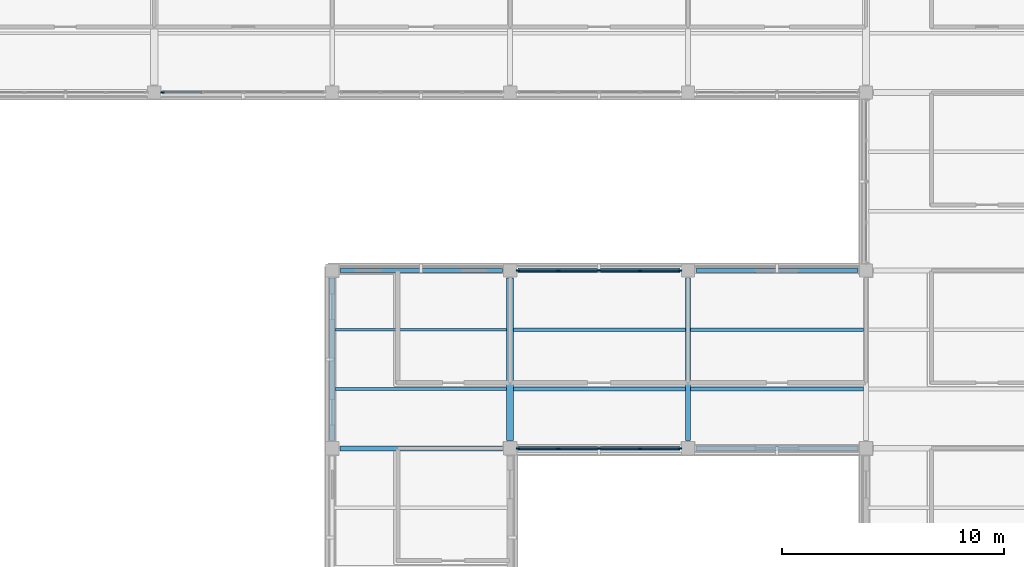
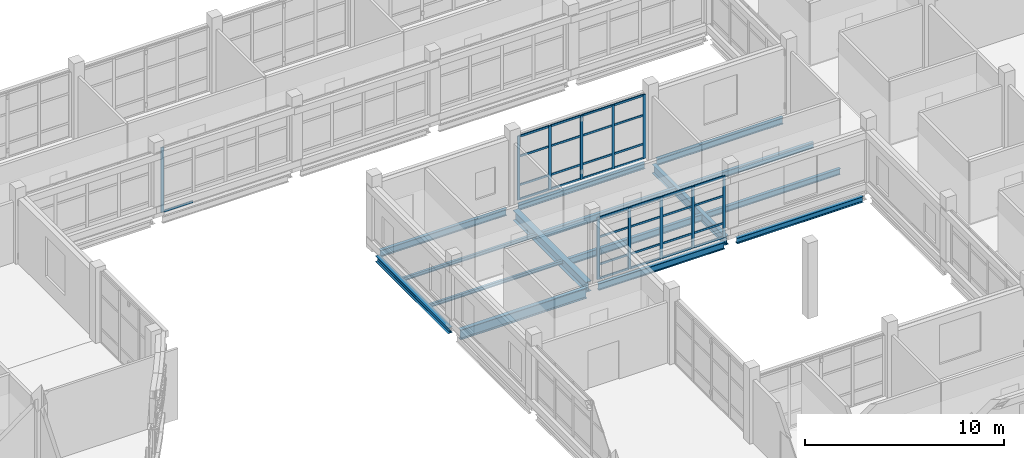
# One storey, part 46 of 121: 44 members, 15 beams, 3 elements without a shape of their own.
"""IFC4 building model written with IfcOpenShell, lengths in metres."""

import ifcopenshell
import ifcopenshell.guid

model = None  # the IFC model being written
_history = None  # IfcOwnerHistory: only IFC2X3 demands one
_inside = {}  # id of a spatial element -> (the spatial element, [elements in it])
_under = {}  # id of a project, library or spatial element -> (it, [spatial elements below it])
_declared = {}  # id of a project -> (the project, [libraries it declares])
_typed = {}  # id of a type object -> (the type object, [elements of that type])
_made_of = {}  # id of a material, layer set ... -> (it, [elements and type objects made of it])


def new_model(schema):
    """Start an empty IFC model of exactly this schema.

    Asked for "IFC4X3", IfcOpenShell would pick the latest addendum, in which some entities
    have other attributes; the version numbers below select the first issue.
    IFC2X3 requires an IfcOwnerHistory on every rooted entity: one is made here for all.
    """
    global model, _history
    if schema == "IFC4X3":
        model = ifcopenshell.file(schema_version=(4, 3, 0, 0))
    else:
        model = ifcopenshell.file(schema=schema)
    _inside.clear()
    _under.clear()
    _declared.clear()
    _typed.clear()
    _made_of.clear()
    _history = None
    if model.schema == "IFC2X3":
        org = make("IfcOrganization", Name="unknown")
        user = make(
            "IfcPersonAndOrganization",
            ThePerson=make("IfcPerson", FamilyName="unknown"),
            TheOrganization=org,
        )
        app = make(
            "IfcApplication",
            ApplicationDeveloper=org,
            Version="unknown",
            ApplicationFullName="unknown",
            ApplicationIdentifier="unknown",
        )
        _history = make(
            "IfcOwnerHistory",
            OwningUser=user,
            OwningApplication=app,
            ChangeAction="ADDED",
            CreationDate=0,
        )
    return model


def make(cls, **values):
    """One entity of the class cls with the attributes given. An attribute that is None is left unset."""
    return model.create_entity(
        cls, **{name: value for name, value in values.items() if value is not None}
    )


def rooted(cls, **values):
    """An entity with a GlobalId (a new one), such as an element, a storey or a relation."""
    return make(cls, GlobalId=ifcopenshell.guid.new(), OwnerHistory=_history, **values)


def si_unit(unit_type, name, prefix=None):
    """IfcSIUnit, for example si_unit("LENGTHUNIT", "METRE", prefix="MILLI")."""
    return make("IfcSIUnit", UnitType=unit_type, Prefix=prefix, Name=name)


def derived_unit(unit_type, elements):
    """IfcDerivedUnit: a product of units, each with its exponent."""
    return make(
        "IfcDerivedUnit",
        Elements=[
            make("IfcDerivedUnitElement", Unit=unit, Exponent=power)
            for unit, power in elements
        ],
        UnitType=unit_type,
    )


def assignment(units):
    """IfcUnitAssignment: the units of a project."""
    return None if units is None else make("IfcUnitAssignment", Units=units)


def point(xyz):
    """IfcCartesianPoint."""
    return None if xyz is None else make("IfcCartesianPoint", Coordinates=xyz)


def direction(xyz):
    """IfcDirection."""
    return None if xyz is None else make("IfcDirection", DirectionRatios=xyz)


def frame(location, z_axis=None, x_axis=None):
    """IfcAxis2Placement3D, a coordinate frame: its origin and axes. An axis left out is left unset."""
    return make(
        "IfcAxis2Placement3D",
        Location=point(location),
        Axis=direction(z_axis),
        RefDirection=direction(x_axis),
    )


def frame_2d(location, x_axis=None):
    """IfcAxis2Placement2D, a coordinate frame in the plane: its origin and x axis."""
    return make(
        "IfcAxis2Placement2D", Location=point(location), RefDirection=direction(x_axis)
    )


def origin():
    """The frame at (0, 0, 0) with its axes left unset."""
    return frame((0.0, 0.0, 0.0))


def origin_2d():
    """The frame at (0, 0) in the plane with its x axis left unset."""
    return frame_2d((0.0, 0.0))


def place(relative_to, where):
    """IfcLocalPlacement: puts the frame where relative to a parent placement (None: the world)."""
    return make(
        "IfcLocalPlacement", PlacementRelTo=relative_to, RelativePlacement=where
    )


def context(
    kind, dimensions, precision=None, world=None, true_north=None, identifier=None
):
    """IfcGeometricRepresentationContext, for example the 3D "Model" context."""
    return make(
        "IfcGeometricRepresentationContext",
        ContextIdentifier=identifier,
        ContextType=kind,
        CoordinateSpaceDimension=dimensions,
        Precision=precision,
        WorldCoordinateSystem=world,
        TrueNorth=true_north,
    )


def subcontext(parent, identifier, kind, view, scale=None):
    """IfcGeometricRepresentationSubContext, for example "Body" below "Model"."""
    return make(
        "IfcGeometricRepresentationSubContext",
        ContextIdentifier=identifier,
        ContextType=kind,
        ParentContext=parent,
        TargetScale=scale,
        TargetView=view,
    )


def project(units=None, contexts=None):
    """IfcProject with its units and contexts."""
    return rooted(
        "IfcProject",
        Name="project",
        RepresentationContexts=contexts,
        UnitsInContext=assignment(units),
    )


def spatial(cls, under=None, at=None, **own):
    """A site, building, storey or space (cls), placed at a placement, below another one or the project."""
    s = rooted(cls, ObjectPlacement=at, **own)
    if under is not None:
        _under.setdefault(under.id(), (under, []))[1].append(s)
    return s


def profile(cls, at=None, kind="AREA", **sizes):
    """A parametric profile (cls). Its sizes go by their IFC names, for example OverallWidth=200.0."""
    return make(cls, ProfileType=kind, Position=at, **sizes)


def rectangle(**sizes):
    """IfcRectangleProfileDef."""
    return profile("IfcRectangleProfileDef", **sizes)


def i_section(**sizes):
    """IfcIShapeProfileDef."""
    return profile("IfcIShapeProfileDef", **sizes)


def extrude(swept, where, along, depth):
    """IfcExtrudedAreaSolid: the profile swept, set in the frame where, extruded along a direction by depth."""
    return make(
        "IfcExtrudedAreaSolid",
        SweptArea=swept,
        Position=where,
        ExtrudedDirection=direction(along),
        Depth=depth,
    )


def shape(context_of_items, identifier, shape_type, items):
    """IfcShapeRepresentation: the items that make up one representation, for example the "Body"."""
    return make(
        "IfcShapeRepresentation",
        ContextOfItems=context_of_items,
        RepresentationIdentifier=identifier,
        RepresentationType=shape_type,
        Items=items,
    )


def material(Name=None, Category=None):
    """IfcMaterial."""
    return make("IfcMaterial", Name=Name, Category=Category)


def layer(
    of_material, thickness, ventilated=None, Name=None, Category=None, Priority=None
):
    """IfcMaterialLayer: one layer of a wall or slab, of a material (None: an air gap)."""
    return make(
        "IfcMaterialLayer",
        Material=of_material,
        LayerThickness=thickness,
        IsVentilated=ventilated,
        Name=Name,
        Category=Category,
        Priority=Priority,
    )


def layer_set(layers, Name=None):
    """IfcMaterialLayerSet."""
    return make("IfcMaterialLayerSet", MaterialLayers=layers, LayerSetName=Name)


def material_profile(
    of_material, cross_section, Name=None, Category=None, Priority=None
):
    """IfcMaterialProfile: a cross section and its material."""
    return make(
        "IfcMaterialProfile",
        Name=Name,
        Material=of_material,
        Profile=cross_section,
        Priority=Priority,
        Category=Category,
    )


def profile_set(profiles, Name=None, composite=None):
    """IfcMaterialProfileSet."""
    return make(
        "IfcMaterialProfileSet",
        Name=Name,
        MaterialProfiles=profiles,
        CompositeProfile=composite,
    )


def made_of(thing, what):
    """Note that an element or type object is made of a material, layer set ...; save() writes the relation."""
    if what is not None:
        _made_of.setdefault(what.id(), (what, []))[1].append(thing)
    return thing


def type_object(cls, material=None, **own):
    """A type object (cls), such as IfcWallType, which elements share."""
    return made_of(rooted(cls, **own), material)


def element(
    cls,
    number,
    at=None,
    inside=None,
    cuts=None,
    type_object=None,
    material=None,
    context=None,
    identifier="Body",
    shape_type=None,
    held_by="IfcProductDefinitionShape",
    body=None,
    shapes=None,
    **own,
):
    """One element of the class cls, such as IfcWall. Its Tag is "e" and its number.

    at: its placement. inside: the storey or other place that contains it. cuts: it is an
    opening in that element (IfcRelVoidsElement). A single representation is given by context,
    identifier, shape_type and body (its items); several are given by shapes. held_by: the class
    of the entity that holds the representations. save() writes the other relations.
    """
    e = rooted(cls, Tag="e%d" % number, ObjectPlacement=at, **own)
    if body is not None:
        shapes = [shape(context, identifier, shape_type, body)]
    if shapes is not None:
        e.Representation = make(held_by, Representations=shapes)
    if inside is not None:
        _inside.setdefault(inside.id(), (inside, []))[1].append(e)
    if cuts is not None:
        rooted(
            "IfcRelVoidsElement", RelatingBuildingElement=cuts, RelatedOpeningElement=e
        )
    if type_object is not None:
        _typed.setdefault(type_object.id(), (type_object, []))[1].append(e)
    return made_of(e, material)


def aggregate(whole, parts):
    """IfcRelAggregates: a whole, such as a stair, and the parts it consists of."""
    return rooted("IfcRelAggregates", RelatingObject=whole, RelatedObjects=parts)


def save(model, path):
    """Write the relations noted so far, then the file.

    IfcRelAggregates (storeys below a building ...), IfcRelContainedInSpatialStructure (elements
    in a storey), IfcRelDefinesByType, IfcRelAssociatesMaterial and IfcRelDeclares: one each for
    every whole, place, type object, material and project.
    """
    for whole, parts in _under.values():
        aggregate(whole, parts)
    for where, things in _inside.values():
        rooted(
            "IfcRelContainedInSpatialStructure",
            RelatedElements=things,
            RelatingStructure=where,
        )
    for kind, things in _typed.values():
        rooted("IfcRelDefinesByType", RelatedObjects=things, RelatingType=kind)
    for what, things in _made_of.values():
        rooted("IfcRelAssociatesMaterial", RelatedObjects=things, RelatingMaterial=what)
    for by, libraries in _declared.values():
        rooted("IfcRelDeclares", RelatingContext=by, RelatedDefinitions=libraries)
    model.write(path)


model = new_model("IFC4")

# Units and contexts
model_context = context("Model", 3, precision=1e-05, world=origin(), true_north=direction((0.0, 1.0)))
body_context = subcontext(model_context, "Body", "Model", "MODEL_VIEW")
ifc_project = project(units=[si_unit("LENGTHUNIT", "METRE"), si_unit("AREAUNIT", "SQUARE_METRE"), si_unit("VOLUMEUNIT", "CUBIC_METRE"), si_unit("PLANEANGLEUNIT", "RADIAN"), si_unit("MASSUNIT", "GRAM", prefix="KILO"), derived_unit("THERMALTRANSMITTANCEUNIT", [(si_unit("MASSUNIT", "GRAM", prefix="KILO"), 1), (si_unit("TIMEUNIT", "SECOND"), -3), (si_unit("THERMODYNAMICTEMPERATUREUNIT", "KELVIN"), -1)])], contexts=[model_context])

# Site, building, storey
site_placement = place(None, origin())
site = spatial("IfcSite", under=ifc_project, at=site_placement, CompositionType="ELEMENT")
building_placement = place(site_placement, origin())
building = spatial("IfcBuilding", under=site, at=building_placement, Name="Veyamyaing Civic Hall", CompositionType="ELEMENT")
storey_placement = place(building_placement, frame((0.0, 0.0, 5.280029296875)))
storey = spatial("IfcBuildingStorey", under=building, at=storey_placement, Name="L01", CompositionType="ELEMENT", Elevation=5.280029296875)

# Beams
ifc_material_1 = material(Name="Steel ASTM A992", Category="steel")
ifc_material_profile_1 = material_profile(ifc_material_1, i_section(OverallWidth=0.22998046875, OverallDepth=0.616943359375, WebThickness=0.01318359375, FlangeThickness=0.022216796875, FilletRadius=0.012939453125, at=origin_2d()), Name="W610X140")
ifc_profile_set_1 = profile_set([ifc_material_profile_1], Name="Steel ASTM A992")
beam_type_1 = type_object("IfcBeamType", Name="B-05", PredefinedType="BEAM", material=ifc_profile_set_1)
beam_1_placement = place(storey_placement, frame((136.35009765625, 32.0, -0.553466796875), z_axis=(1.0, 0.0, 0.0), x_axis=(0.0, 1.0, 0.0)))
element("IfcBeam", 1, at=beam_1_placement, inside=storey, type_object=beam_type_1, Name="Girder B-05 L01 Grid E 18-19", PredefinedType="BEAM", context=body_context, shape_type="SweptSolid", body=[
    extrude(i_section(OverallWidth=0.22998046875, OverallDepth=0.616943359375, WebThickness=0.01318359375, FlangeThickness=0.022216796875, FilletRadius=0.012939453125, at=origin_2d()), origin(), (0.0, 0.0, 1.0), 7.2998046875),
])
ifc_material_profile_2 = material_profile(ifc_material_1, i_section(OverallWidth=0.179931640625, OverallDepth=0.4130859375, WebThickness=0.009765625, FlangeThickness=0.01611328125, FilletRadius=0.010009765625, at=origin_2d()), Name="W410X74")
ifc_profile_set_2 = profile_set([ifc_material_profile_2], Name="Steel ASTM A992")
beam_type_2 = type_object("IfcBeamType", Name="B-10", PredefinedType="SPANDREL", material=ifc_profile_set_2)
for number, where, z_axis, x_axis, name in (
    (2, (144.35009765625, 32.0, -0.451416015625), (1.0, 0.0, 0.0), (0.0, 1.0, 0.0), "Girder B-10 L01 Grid E 19-20"),
    (3, (136.35009765625, 40.0, -0.451416015625), (1.0, 0.0, 0.0), (0.0, 1.0, 0.0), "Girder B-10 L01 Grid F 18-19"),
):
    element("IfcBeam", number, at=place(storey_placement, frame(where, z_axis=z_axis, x_axis=x_axis)), inside=storey, type_object=beam_type_2, Name=name, PredefinedType="SPANDREL", context=body_context, shape_type="SweptSolid", body=[
        extrude(i_section(OverallWidth=0.179931640625, OverallDepth=0.4130859375, WebThickness=0.009765625, FlangeThickness=0.01611328125, FilletRadius=0.010009765625, at=origin_2d()), origin(), (0.0, 0.0, 1.0), 7.2998046875),
    ])
ifc_material_profile_3 = material_profile(ifc_material_1, i_section(OverallWidth=0.2041015625, OverallDepth=0.35009765625, WebThickness=0.0078125, FlangeThickness=0.01513671875, FilletRadius=0.010009765625, at=origin_2d()), Name="W360X72")
ifc_profile_set_3 = profile_set([ifc_material_profile_3], Name="Steel ASTM A992")
beam_type_3 = type_object("IfcBeamType", Name="B-11", PredefinedType="SPANDREL", material=ifc_profile_set_3)
for number, where, z_axis, x_axis, name in (
    (4, (152.35009765625, 32.0, -0.419921875), (1.0, 0.0, 0.0), (0.0, 1.0, 0.0), "Girder B-11 L01 Grid E 20-21"),
    (5, (144.35009765625, 40.0, -0.419921875), (1.0, 0.0, 0.0), (0.0, 1.0, 0.0), "Girder B-11 L01 Grid F 19-20"),
):
    element("IfcBeam", number, at=place(storey_placement, frame(where, z_axis=z_axis, x_axis=x_axis)), inside=storey, type_object=beam_type_3, Name=name, PredefinedType="SPANDREL", context=body_context, shape_type="SweptSolid", body=[
        extrude(i_section(OverallWidth=0.2041015625, OverallDepth=0.35009765625, WebThickness=0.0078125, FlangeThickness=0.01513671875, FilletRadius=0.010009765625, at=origin_2d()), origin(), (0.0, 0.0, 1.0), 7.2998046875),
    ])
ifc_material_profile_4 = material_profile(ifc_material_1, i_section(OverallWidth=0.324951171875, OverallDepth=0.615966796875, WebThickness=0.013916015625, FlangeThickness=0.021484375, FilletRadius=0.013916015625, at=origin_2d()), Name="W610X174")
ifc_profile_set_4 = profile_set([ifc_material_profile_4], Name="Steel ASTM A992")
beam_type_4 = type_object("IfcBeamType", Name="B-15", PredefinedType="BEAM", material=ifc_profile_set_4)
beam_2_placement = place(storey_placement, frame((144.0, 32.35009765625, -0.552978515625), z_axis=(0.0, 1.0, 0.0), x_axis=(-1.0, 0.0, 0.0)))
element("IfcBeam", 6, at=beam_2_placement, inside=storey, type_object=beam_type_4, Name="Girder B-15 L01 Grid 19 E-F", PredefinedType="BEAM", context=body_context, shape_type="SweptSolid", body=[
    extrude(i_section(OverallWidth=0.324951171875, OverallDepth=0.615966796875, WebThickness=0.013916015625, FlangeThickness=0.021484375, FilletRadius=0.013916015625, at=origin_2d()), origin(), (0.0, 0.0, 1.0), 7.2998046875),
])
ifc_material_profile_5 = material_profile(ifc_material_1, i_section(OverallWidth=0.214111328125, OverallDepth=0.549072265625, WebThickness=0.0146484375, FlangeThickness=0.023681640625, FilletRadius=0.011962890625, at=origin_2d()), Name="W530X138")
ifc_profile_set_5 = profile_set([ifc_material_profile_5], Name="Steel ASTM A992")
beam_type_5 = type_object("IfcBeamType", Name="B-16", PredefinedType="BEAM", material=ifc_profile_set_5)
beam_3_placement = place(storey_placement, frame((152.0, 32.35009765625, -0.51953125), z_axis=(0.0, 1.0, 0.0), x_axis=(-1.0, 0.0, 0.0)))
element("IfcBeam", 7, at=beam_3_placement, inside=storey, type_object=beam_type_5, Name="Girder B-16 L01 Grid 20 E-F", PredefinedType="BEAM", context=body_context, shape_type="SweptSolid", body=[
    extrude(i_section(OverallWidth=0.214111328125, OverallDepth=0.549072265625, WebThickness=0.0146484375, FlangeThickness=0.023681640625, FilletRadius=0.011962890625, at=origin_2d()), origin(), (0.0, 0.0, 1.0), 7.2998046875),
])
ifc_material_profile_6 = material_profile(ifc_material_1, i_section(OverallWidth=0.180908203125, OverallDepth=0.4169921875, WebThickness=0.010986328125, FlangeThickness=0.018310546875, FilletRadius=0.010009765625, at=origin_2d()), Name="W410X85")
ifc_profile_set_6 = profile_set([ifc_material_profile_6], Name="Steel ASTM A992")
beam_type_6 = type_object("IfcBeamType", Name="B-19", PredefinedType="SPANDREL", material=ifc_profile_set_6)
beam_4_placement = place(storey_placement, frame((152.35009765625, 40.0, -0.45361328125), z_axis=(1.0, 0.0, 0.0), x_axis=(0.0, 1.0, 0.0)))
element("IfcBeam", 8, at=beam_4_placement, inside=storey, type_object=beam_type_6, Name="Girder B-19 L01 Grid F 20-21", PredefinedType="SPANDREL", context=body_context, shape_type="SweptSolid", body=[
    extrude(i_section(OverallWidth=0.180908203125, OverallDepth=0.4169921875, WebThickness=0.010986328125, FlangeThickness=0.018310546875, FilletRadius=0.010009765625, at=origin_2d()), origin(), (0.0, 0.0, 1.0), 7.2998046875),
])
ifc_material_profile_7 = material_profile(ifc_material_1, i_section(OverallWidth=0.25390625, OverallDepth=0.35302734375, WebThickness=0.009521484375, FlangeThickness=0.016357421875, FilletRadius=0.011962890625, at=origin_2d()), Name="W360X91")
ifc_profile_set_7 = profile_set([ifc_material_profile_7], Name="Steel ASTM A992")
beam_type_7 = type_object("IfcBeamType", Name="B-20", PredefinedType="SPANDREL", material=ifc_profile_set_7)
beam_5_placement = place(storey_placement, frame((136.0, 32.35009765625, -0.421630859375), z_axis=(0.0, 1.0, 0.0), x_axis=(-1.0, 0.0, 0.0)))
element("IfcBeam", 9, at=beam_5_placement, inside=storey, type_object=beam_type_7, Name="Girder B-20 L01 Grid 18 E-F", PredefinedType="SPANDREL", context=body_context, shape_type="SweptSolid", body=[
    extrude(i_section(OverallWidth=0.25390625, OverallDepth=0.35302734375, WebThickness=0.009521484375, FlangeThickness=0.016357421875, FilletRadius=0.011962890625, at=origin_2d()), origin(), (0.0, 0.0, 1.0), 7.2998046875),
])

# Curtain wall, member
ifc_material_2 = material(Name="Anodised aluminium 6063-T6", Category="aluminium")
ifc_layer = layer(ifc_material_2, 0.159912109375, Name="Anodised aluminium 6063-T6")
ifc_layer_set = layer_set([ifc_layer], Name="Anodised aluminium 6063-T6")
curtain_wall_type = type_object("IfcCurtainWallType", Name="CW-02", PredefinedType="NOTDEFINED", material=ifc_layer_set)
curtain_wall_1_placement = place(storey_placement, origin())
curtain_wall_1 = element("IfcCurtainWall", 10, at=curtain_wall_1_placement, inside=storey, type_object=curtain_wall_type, Name="Unitized curtain wall CW-02 L01 S 17.7", PredefinedType="NOTDEFINED")
ifc_material_profile_8 = material_profile(ifc_material_2, rectangle(XDim=0.06494140625, YDim=0.159912109375, at=origin_2d()), Name="ALU-MUL-65X160")
ifc_profile_set_8 = profile_set([ifc_material_profile_8], Name="Anodised aluminium 6063-T6")
member_type_1 = type_object("IfcMemberType", Name="CWM-01", PredefinedType="MULLION", material=ifc_profile_set_8)
member_1_placement = place(storey_placement, frame((128.362548828125, 48.0, 0.0), z_axis=(0.0, 0.0, 1.0), x_axis=(0.0, 1.0, 0.0)))
member_1 = element("IfcMember", 11, at=member_1_placement, type_object=member_type_1, Name="CW-02 mullion 1", PredefinedType="MULLION", context=body_context, shape_type="SweptSolid", body=[
    extrude(rectangle(XDim=0.06494140625, YDim=0.159912109375, at=origin_2d()), origin(), (0.0, 0.0, 1.0), 3.97705078125),
])

# Curtain wall, members
curtain_wall_2_placement = place(storey_placement, origin())
curtain_wall_2 = element("IfcCurtainWall", 12, at=curtain_wall_2_placement, inside=storey, type_object=curtain_wall_type, Name="Unitized curtain wall CW-02 L01 S 19.5", PredefinedType="NOTDEFINED")
member_2_placement = place(storey_placement, frame((144.362548828125, 32.0, 0.0), z_axis=(0.0, 0.0, 1.0), x_axis=(0.0, 1.0, 0.0)))
member_2 = element("IfcMember", 13, at=member_2_placement, type_object=member_type_1, Name="CW-02 mullion 1", PredefinedType="MULLION", context=body_context, shape_type="SweptSolid", body=[
    extrude(rectangle(XDim=0.06494140625, YDim=0.159912109375, at=origin_2d()), origin(), (0.0, 0.0, 1.0), 3.778076171875),
])
member_3_placement = place(storey_placement, frame((146.1650390625, 32.0, 0.0), z_axis=(0.0, 0.0, 1.0), x_axis=(0.0, 1.0, 0.0)))
member_3 = element("IfcMember", 14, at=member_3_placement, type_object=member_type_1, Name="CW-02 mullion 2", PredefinedType="MULLION", context=body_context, shape_type="SweptSolid", body=[
    extrude(rectangle(XDim=0.06494140625, YDim=0.159912109375, at=origin_2d()), origin(), (0.0, 0.0, 1.0), 3.778076171875),
])
member_4_placement = place(storey_placement, frame((148.0, 32.0, 0.0), z_axis=(0.0, 0.0, 1.0), x_axis=(0.0, 1.0, 0.0)))
member_4 = element("IfcMember", 15, at=member_4_placement, type_object=member_type_1, Name="CW-02 mullion 3", PredefinedType="MULLION", context=body_context, shape_type="SweptSolid", body=[
    extrude(rectangle(XDim=0.06494140625, YDim=0.159912109375, at=origin_2d()), origin(), (0.0, 0.0, 1.0), 3.778076171875),
])
member_5_placement = place(storey_placement, frame((149.8349609375, 32.0, 0.0), z_axis=(0.0, 0.0, 1.0), x_axis=(0.0, 1.0, 0.0)))
member_5 = element("IfcMember", 16, at=member_5_placement, type_object=member_type_1, Name="CW-02 mullion 4", PredefinedType="MULLION", context=body_context, shape_type="SweptSolid", body=[
    extrude(rectangle(XDim=0.06494140625, YDim=0.159912109375, at=origin_2d()), origin(), (0.0, 0.0, 1.0), 3.778076171875),
])
member_6_placement = place(storey_placement, frame((151.637451171875, 32.0, 0.0), z_axis=(0.0, 0.0, 1.0), x_axis=(0.0, 1.0, 0.0)))
member_6 = element("IfcMember", 17, at=member_6_placement, type_object=member_type_1, Name="CW-02 mullion 5", PredefinedType="MULLION", context=body_context, shape_type="SweptSolid", body=[
    extrude(rectangle(XDim=0.06494140625, YDim=0.159912109375, at=origin_2d()), origin(), (0.0, 0.0, 1.0), 3.778076171875),
])

curtain_wall_3_placement = place(storey_placement, origin())
curtain_wall_3 = element("IfcCurtainWall", 18, at=curtain_wall_3_placement, inside=storey, type_object=curtain_wall_type, Name="Unitized curtain wall CW-02 L01 N 19.5", PredefinedType="NOTDEFINED")
member_7_placement = place(storey_placement, frame((144.362548828125, 40.0, 0.0), z_axis=(0.0, 0.0, 1.0), x_axis=(0.0, 1.0, 0.0)))
member_7 = element("IfcMember", 19, at=member_7_placement, type_object=member_type_1, Name="CW-02 mullion 1", PredefinedType="MULLION", context=body_context, shape_type="SweptSolid", body=[
    extrude(rectangle(XDim=0.06494140625, YDim=0.159912109375, at=origin_2d()), origin(), (0.0, 0.0, 1.0), 3.909912109375),
])
member_8_placement = place(storey_placement, frame((146.1650390625, 40.0, 0.0), z_axis=(0.0, 0.0, 1.0), x_axis=(0.0, 1.0, 0.0)))
member_8 = element("IfcMember", 20, at=member_8_placement, type_object=member_type_1, Name="CW-02 mullion 2", PredefinedType="MULLION", context=body_context, shape_type="SweptSolid", body=[
    extrude(rectangle(XDim=0.06494140625, YDim=0.159912109375, at=origin_2d()), origin(), (0.0, 0.0, 1.0), 3.909912109375),
])
member_9_placement = place(storey_placement, frame((148.0, 40.0, 0.0), z_axis=(0.0, 0.0, 1.0), x_axis=(0.0, 1.0, 0.0)))
member_9 = element("IfcMember", 21, at=member_9_placement, type_object=member_type_1, Name="CW-02 mullion 3", PredefinedType="MULLION", context=body_context, shape_type="SweptSolid", body=[
    extrude(rectangle(XDim=0.06494140625, YDim=0.159912109375, at=origin_2d()), origin(), (0.0, 0.0, 1.0), 3.909912109375),
])
member_10_placement = place(storey_placement, frame((149.8349609375, 40.0, 0.0), z_axis=(0.0, 0.0, 1.0), x_axis=(0.0, 1.0, 0.0)))
member_10 = element("IfcMember", 22, at=member_10_placement, type_object=member_type_1, Name="CW-02 mullion 4", PredefinedType="MULLION", context=body_context, shape_type="SweptSolid", body=[
    extrude(rectangle(XDim=0.06494140625, YDim=0.159912109375, at=origin_2d()), origin(), (0.0, 0.0, 1.0), 3.909912109375),
])
member_11_placement = place(storey_placement, frame((151.637451171875, 40.0, 0.0), z_axis=(0.0, 0.0, 1.0), x_axis=(0.0, 1.0, 0.0)))
member_11 = element("IfcMember", 23, at=member_11_placement, type_object=member_type_1, Name="CW-02 mullion 5", PredefinedType="MULLION", context=body_context, shape_type="SweptSolid", body=[
    extrude(rectangle(XDim=0.06494140625, YDim=0.159912109375, at=origin_2d()), origin(), (0.0, 0.0, 1.0), 3.909912109375),
])

# Member
ifc_material_profile_9 = material_profile(ifc_material_2, rectangle(XDim=0.06494140625, YDim=0.1201171875, at=origin_2d()), Name="ALU-TRN-65X120")
ifc_profile_set_9 = profile_set([ifc_material_profile_9], Name="Anodised aluminium 6063-T6")
member_type_2 = type_object("IfcMemberType", Name="CWT-01", PredefinedType="USERDEFINED", material=ifc_profile_set_9)
member_12_placement = place(storey_placement, frame((128.39501953125, 48.0, 0.032470703125), z_axis=(1.0, 0.0, 0.0), x_axis=(0.0, 1.0, 0.0)))
member_12 = element("IfcMember", 24, at=member_12_placement, type_object=member_type_2, Name="CW-02 transom 1.1", ObjectType="TRANSOM", PredefinedType="USERDEFINED", context=body_context, shape_type="SweptSolid", body=[
    extrude(rectangle(XDim=0.06494140625, YDim=0.1201171875, at=origin_2d()), origin(), (0.0, 0.0, 1.0), 1.737548828125),
])

aggregate(curtain_wall_1, [member_1, member_12])

member_13_placement = place(storey_placement, frame((144.39501953125, 32.0, 0.032470703125), z_axis=(1.0, 0.0, 0.0), x_axis=(0.0, 1.0, 0.0)))
member_13 = element("IfcMember", 25, at=member_13_placement, type_object=member_type_2, Name="CW-02 transom 1.1", ObjectType="TRANSOM", PredefinedType="USERDEFINED", context=body_context, shape_type="SweptSolid", body=[
    extrude(rectangle(XDim=0.06494140625, YDim=0.1201171875, at=origin_2d()), origin(), (0.0, 0.0, 1.0), 1.737548828125),
])

member_14_placement = place(storey_placement, frame((144.39501953125, 32.0, 0.89990234375), z_axis=(1.0, 0.0, 0.0), x_axis=(0.0, 1.0, 0.0)))
member_14 = element("IfcMember", 26, at=member_14_placement, type_object=member_type_2, Name="CW-02 transom 1.2", ObjectType="TRANSOM", PredefinedType="USERDEFINED", context=body_context, shape_type="SweptSolid", body=[
    extrude(rectangle(XDim=0.06494140625, YDim=0.1201171875, at=origin_2d()), origin(), (0.0, 0.0, 1.0), 1.737548828125),
])

member_15_placement = place(storey_placement, frame((144.39501953125, 32.0, 2.569091796875), z_axis=(1.0, 0.0, 0.0), x_axis=(0.0, 1.0, 0.0)))
member_15 = element("IfcMember", 27, at=member_15_placement, type_object=member_type_2, Name="CW-02 transom 1.3", ObjectType="TRANSOM", PredefinedType="USERDEFINED", context=body_context, shape_type="SweptSolid", body=[
    extrude(rectangle(XDim=0.06494140625, YDim=0.1201171875, at=origin_2d()), origin(), (0.0, 0.0, 1.0), 1.737548828125),
])

member_16_placement = place(storey_placement, frame((144.39501953125, 32.0, 3.745361328125), z_axis=(1.0, 0.0, 0.0), x_axis=(0.0, 1.0, 0.0)))
member_16 = element("IfcMember", 28, at=member_16_placement, type_object=member_type_2, Name="CW-02 transom 1.4", ObjectType="TRANSOM", PredefinedType="USERDEFINED", context=body_context, shape_type="SweptSolid", body=[
    extrude(rectangle(XDim=0.06494140625, YDim=0.1201171875, at=origin_2d()), origin(), (0.0, 0.0, 1.0), 1.737548828125),
])

member_17_placement = place(storey_placement, frame((146.197509765625, 32.0, 0.032470703125), z_axis=(1.0, 0.0, 0.0), x_axis=(0.0, 1.0, 0.0)))
member_17 = element("IfcMember", 29, at=member_17_placement, type_object=member_type_2, Name="CW-02 transom 2.1", ObjectType="TRANSOM", PredefinedType="USERDEFINED", context=body_context, shape_type="SweptSolid", body=[
    extrude(rectangle(XDim=0.06494140625, YDim=0.1201171875, at=origin_2d()), origin(), (0.0, 0.0, 1.0), 1.77001953125),
])

member_18_placement = place(storey_placement, frame((146.197509765625, 32.0, 0.89990234375), z_axis=(1.0, 0.0, 0.0), x_axis=(0.0, 1.0, 0.0)))
member_18 = element("IfcMember", 30, at=member_18_placement, type_object=member_type_2, Name="CW-02 transom 2.2", ObjectType="TRANSOM", PredefinedType="USERDEFINED", context=body_context, shape_type="SweptSolid", body=[
    extrude(rectangle(XDim=0.06494140625, YDim=0.1201171875, at=origin_2d()), origin(), (0.0, 0.0, 1.0), 1.77001953125),
])

member_19_placement = place(storey_placement, frame((146.197509765625, 32.0, 2.569091796875), z_axis=(1.0, 0.0, 0.0), x_axis=(0.0, 1.0, 0.0)))
member_19 = element("IfcMember", 31, at=member_19_placement, type_object=member_type_2, Name="CW-02 transom 2.3", ObjectType="TRANSOM", PredefinedType="USERDEFINED", context=body_context, shape_type="SweptSolid", body=[
    extrude(rectangle(XDim=0.06494140625, YDim=0.1201171875, at=origin_2d()), origin(), (0.0, 0.0, 1.0), 1.77001953125),
])

member_20_placement = place(storey_placement, frame((146.197509765625, 32.0, 3.745361328125), z_axis=(1.0, 0.0, 0.0), x_axis=(0.0, 1.0, 0.0)))
member_20 = element("IfcMember", 32, at=member_20_placement, type_object=member_type_2, Name="CW-02 transom 2.4", ObjectType="TRANSOM", PredefinedType="USERDEFINED", context=body_context, shape_type="SweptSolid", body=[
    extrude(rectangle(XDim=0.06494140625, YDim=0.1201171875, at=origin_2d()), origin(), (0.0, 0.0, 1.0), 1.77001953125),
])

member_21_placement = place(storey_placement, frame((148.032470703125, 32.0, 0.032470703125), z_axis=(1.0, 0.0, 0.0), x_axis=(0.0, 1.0, 0.0)))
member_21 = element("IfcMember", 33, at=member_21_placement, type_object=member_type_2, Name="CW-02 transom 3.1", ObjectType="TRANSOM", PredefinedType="USERDEFINED", context=body_context, shape_type="SweptSolid", body=[
    extrude(rectangle(XDim=0.06494140625, YDim=0.1201171875, at=origin_2d()), origin(), (0.0, 0.0, 1.0), 1.77001953125),
])

member_22_placement = place(storey_placement, frame((148.032470703125, 32.0, 0.89990234375), z_axis=(1.0, 0.0, 0.0), x_axis=(0.0, 1.0, 0.0)))
member_22 = element("IfcMember", 34, at=member_22_placement, type_object=member_type_2, Name="CW-02 transom 3.2", ObjectType="TRANSOM", PredefinedType="USERDEFINED", context=body_context, shape_type="SweptSolid", body=[
    extrude(rectangle(XDim=0.06494140625, YDim=0.1201171875, at=origin_2d()), origin(), (0.0, 0.0, 1.0), 1.77001953125),
])

member_23_placement = place(storey_placement, frame((148.032470703125, 32.0, 2.569091796875), z_axis=(1.0, 0.0, 0.0), x_axis=(0.0, 1.0, 0.0)))
member_23 = element("IfcMember", 35, at=member_23_placement, type_object=member_type_2, Name="CW-02 transom 3.3", ObjectType="TRANSOM", PredefinedType="USERDEFINED", context=body_context, shape_type="SweptSolid", body=[
    extrude(rectangle(XDim=0.06494140625, YDim=0.1201171875, at=origin_2d()), origin(), (0.0, 0.0, 1.0), 1.77001953125),
])

member_24_placement = place(storey_placement, frame((148.032470703125, 32.0, 3.745361328125), z_axis=(1.0, 0.0, 0.0), x_axis=(0.0, 1.0, 0.0)))
member_24 = element("IfcMember", 36, at=member_24_placement, type_object=member_type_2, Name="CW-02 transom 3.4", ObjectType="TRANSOM", PredefinedType="USERDEFINED", context=body_context, shape_type="SweptSolid", body=[
    extrude(rectangle(XDim=0.06494140625, YDim=0.1201171875, at=origin_2d()), origin(), (0.0, 0.0, 1.0), 1.77001953125),
])

member_25_placement = place(storey_placement, frame((149.867431640625, 32.0, 0.032470703125), z_axis=(1.0, 0.0, 0.0), x_axis=(0.0, 1.0, 0.0)))
member_25 = element("IfcMember", 37, at=member_25_placement, type_object=member_type_2, Name="CW-02 transom 4.1", ObjectType="TRANSOM", PredefinedType="USERDEFINED", context=body_context, shape_type="SweptSolid", body=[
    extrude(rectangle(XDim=0.06494140625, YDim=0.1201171875, at=origin_2d()), origin(), (0.0, 0.0, 1.0), 1.737548828125),
])

member_26_placement = place(storey_placement, frame((149.867431640625, 32.0, 0.89990234375), z_axis=(1.0, 0.0, 0.0), x_axis=(0.0, 1.0, 0.0)))
member_26 = element("IfcMember", 38, at=member_26_placement, type_object=member_type_2, Name="CW-02 transom 4.2", ObjectType="TRANSOM", PredefinedType="USERDEFINED", context=body_context, shape_type="SweptSolid", body=[
    extrude(rectangle(XDim=0.06494140625, YDim=0.1201171875, at=origin_2d()), origin(), (0.0, 0.0, 1.0), 1.737548828125),
])

member_27_placement = place(storey_placement, frame((149.867431640625, 32.0, 2.569091796875), z_axis=(1.0, 0.0, 0.0), x_axis=(0.0, 1.0, 0.0)))
member_27 = element("IfcMember", 39, at=member_27_placement, type_object=member_type_2, Name="CW-02 transom 4.3", ObjectType="TRANSOM", PredefinedType="USERDEFINED", context=body_context, shape_type="SweptSolid", body=[
    extrude(rectangle(XDim=0.06494140625, YDim=0.1201171875, at=origin_2d()), origin(), (0.0, 0.0, 1.0), 1.737548828125),
])

member_28_placement = place(storey_placement, frame((149.867431640625, 32.0, 3.745361328125), z_axis=(1.0, 0.0, 0.0), x_axis=(0.0, 1.0, 0.0)))
member_28 = element("IfcMember", 40, at=member_28_placement, type_object=member_type_2, Name="CW-02 transom 4.4", ObjectType="TRANSOM", PredefinedType="USERDEFINED", context=body_context, shape_type="SweptSolid", body=[
    extrude(rectangle(XDim=0.06494140625, YDim=0.1201171875, at=origin_2d()), origin(), (0.0, 0.0, 1.0), 1.737548828125),
])

aggregate(curtain_wall_2, [member_2, member_3, member_4, member_5, member_6, member_13, member_14, member_15, member_16, member_17, member_18, member_19, member_20, member_21, member_22, member_23, member_24, member_25, member_26, member_27, member_28])

member_29_placement = place(storey_placement, frame((144.39501953125, 40.0, 0.032470703125), z_axis=(1.0, 0.0, 0.0), x_axis=(0.0, 1.0, 0.0)))
member_29 = element("IfcMember", 41, at=member_29_placement, type_object=member_type_2, Name="CW-02 transom 1.1", ObjectType="TRANSOM", PredefinedType="USERDEFINED", context=body_context, shape_type="SweptSolid", body=[
    extrude(rectangle(XDim=0.06494140625, YDim=0.1201171875, at=origin_2d()), origin(), (0.0, 0.0, 1.0), 1.737548828125),
])

member_30_placement = place(storey_placement, frame((144.39501953125, 40.0, 0.89990234375), z_axis=(1.0, 0.0, 0.0), x_axis=(0.0, 1.0, 0.0)))
member_30 = element("IfcMember", 42, at=member_30_placement, type_object=member_type_2, Name="CW-02 transom 1.2", ObjectType="TRANSOM", PredefinedType="USERDEFINED", context=body_context, shape_type="SweptSolid", body=[
    extrude(rectangle(XDim=0.06494140625, YDim=0.1201171875, at=origin_2d()), origin(), (0.0, 0.0, 1.0), 1.737548828125),
])

member_31_placement = place(storey_placement, frame((144.39501953125, 40.0, 2.65869140625), z_axis=(1.0, 0.0, 0.0), x_axis=(0.0, 1.0, 0.0)))
member_31 = element("IfcMember", 43, at=member_31_placement, type_object=member_type_2, Name="CW-02 transom 1.3", ObjectType="TRANSOM", PredefinedType="USERDEFINED", context=body_context, shape_type="SweptSolid", body=[
    extrude(rectangle(XDim=0.06494140625, YDim=0.1201171875, at=origin_2d()), origin(), (0.0, 0.0, 1.0), 1.737548828125),
])

member_32_placement = place(storey_placement, frame((144.39501953125, 40.0, 3.87744140625), z_axis=(1.0, 0.0, 0.0), x_axis=(0.0, 1.0, 0.0)))
member_32 = element("IfcMember", 44, at=member_32_placement, type_object=member_type_2, Name="CW-02 transom 1.4", ObjectType="TRANSOM", PredefinedType="USERDEFINED", context=body_context, shape_type="SweptSolid", body=[
    extrude(rectangle(XDim=0.06494140625, YDim=0.1201171875, at=origin_2d()), origin(), (0.0, 0.0, 1.0), 1.737548828125),
])

member_33_placement = place(storey_placement, frame((146.197509765625, 40.0, 0.032470703125), z_axis=(1.0, 0.0, 0.0), x_axis=(0.0, 1.0, 0.0)))
member_33 = element("IfcMember", 45, at=member_33_placement, type_object=member_type_2, Name="CW-02 transom 2.1", ObjectType="TRANSOM", PredefinedType="USERDEFINED", context=body_context, shape_type="SweptSolid", body=[
    extrude(rectangle(XDim=0.06494140625, YDim=0.1201171875, at=origin_2d()), origin(), (0.0, 0.0, 1.0), 1.77001953125),
])

member_34_placement = place(storey_placement, frame((146.197509765625, 40.0, 0.89990234375), z_axis=(1.0, 0.0, 0.0), x_axis=(0.0, 1.0, 0.0)))
member_34 = element("IfcMember", 46, at=member_34_placement, type_object=member_type_2, Name="CW-02 transom 2.2", ObjectType="TRANSOM", PredefinedType="USERDEFINED", context=body_context, shape_type="SweptSolid", body=[
    extrude(rectangle(XDim=0.06494140625, YDim=0.1201171875, at=origin_2d()), origin(), (0.0, 0.0, 1.0), 1.77001953125),
])

member_35_placement = place(storey_placement, frame((146.197509765625, 40.0, 2.65869140625), z_axis=(1.0, 0.0, 0.0), x_axis=(0.0, 1.0, 0.0)))
member_35 = element("IfcMember", 47, at=member_35_placement, type_object=member_type_2, Name="CW-02 transom 2.3", ObjectType="TRANSOM", PredefinedType="USERDEFINED", context=body_context, shape_type="SweptSolid", body=[
    extrude(rectangle(XDim=0.06494140625, YDim=0.1201171875, at=origin_2d()), origin(), (0.0, 0.0, 1.0), 1.77001953125),
])

member_36_placement = place(storey_placement, frame((146.197509765625, 40.0, 3.87744140625), z_axis=(1.0, 0.0, 0.0), x_axis=(0.0, 1.0, 0.0)))
member_36 = element("IfcMember", 48, at=member_36_placement, type_object=member_type_2, Name="CW-02 transom 2.4", ObjectType="TRANSOM", PredefinedType="USERDEFINED", context=body_context, shape_type="SweptSolid", body=[
    extrude(rectangle(XDim=0.06494140625, YDim=0.1201171875, at=origin_2d()), origin(), (0.0, 0.0, 1.0), 1.77001953125),
])

member_37_placement = place(storey_placement, frame((148.032470703125, 40.0, 0.032470703125), z_axis=(1.0, 0.0, 0.0), x_axis=(0.0, 1.0, 0.0)))
member_37 = element("IfcMember", 49, at=member_37_placement, type_object=member_type_2, Name="CW-02 transom 3.1", ObjectType="TRANSOM", PredefinedType="USERDEFINED", context=body_context, shape_type="SweptSolid", body=[
    extrude(rectangle(XDim=0.06494140625, YDim=0.1201171875, at=origin_2d()), origin(), (0.0, 0.0, 1.0), 1.77001953125),
])

member_38_placement = place(storey_placement, frame((148.032470703125, 40.0, 0.89990234375), z_axis=(1.0, 0.0, 0.0), x_axis=(0.0, 1.0, 0.0)))
member_38 = element("IfcMember", 50, at=member_38_placement, type_object=member_type_2, Name="CW-02 transom 3.2", ObjectType="TRANSOM", PredefinedType="USERDEFINED", context=body_context, shape_type="SweptSolid", body=[
    extrude(rectangle(XDim=0.06494140625, YDim=0.1201171875, at=origin_2d()), origin(), (0.0, 0.0, 1.0), 1.77001953125),
])

member_39_placement = place(storey_placement, frame((148.032470703125, 40.0, 2.65869140625), z_axis=(1.0, 0.0, 0.0), x_axis=(0.0, 1.0, 0.0)))
member_39 = element("IfcMember", 51, at=member_39_placement, type_object=member_type_2, Name="CW-02 transom 3.3", ObjectType="TRANSOM", PredefinedType="USERDEFINED", context=body_context, shape_type="SweptSolid", body=[
    extrude(rectangle(XDim=0.06494140625, YDim=0.1201171875, at=origin_2d()), origin(), (0.0, 0.0, 1.0), 1.77001953125),
])

member_40_placement = place(storey_placement, frame((148.032470703125, 40.0, 3.87744140625), z_axis=(1.0, 0.0, 0.0), x_axis=(0.0, 1.0, 0.0)))
member_40 = element("IfcMember", 52, at=member_40_placement, type_object=member_type_2, Name="CW-02 transom 3.4", ObjectType="TRANSOM", PredefinedType="USERDEFINED", context=body_context, shape_type="SweptSolid", body=[
    extrude(rectangle(XDim=0.06494140625, YDim=0.1201171875, at=origin_2d()), origin(), (0.0, 0.0, 1.0), 1.77001953125),
])

member_41_placement = place(storey_placement, frame((149.867431640625, 40.0, 0.032470703125), z_axis=(1.0, 0.0, 0.0), x_axis=(0.0, 1.0, 0.0)))
member_41 = element("IfcMember", 53, at=member_41_placement, type_object=member_type_2, Name="CW-02 transom 4.1", ObjectType="TRANSOM", PredefinedType="USERDEFINED", context=body_context, shape_type="SweptSolid", body=[
    extrude(rectangle(XDim=0.06494140625, YDim=0.1201171875, at=origin_2d()), origin(), (0.0, 0.0, 1.0), 1.737548828125),
])

member_42_placement = place(storey_placement, frame((149.867431640625, 40.0, 0.89990234375), z_axis=(1.0, 0.0, 0.0), x_axis=(0.0, 1.0, 0.0)))
member_42 = element("IfcMember", 54, at=member_42_placement, type_object=member_type_2, Name="CW-02 transom 4.2", ObjectType="TRANSOM", PredefinedType="USERDEFINED", context=body_context, shape_type="SweptSolid", body=[
    extrude(rectangle(XDim=0.06494140625, YDim=0.1201171875, at=origin_2d()), origin(), (0.0, 0.0, 1.0), 1.737548828125),
])

member_43_placement = place(storey_placement, frame((149.867431640625, 40.0, 2.65869140625), z_axis=(1.0, 0.0, 0.0), x_axis=(0.0, 1.0, 0.0)))
member_43 = element("IfcMember", 55, at=member_43_placement, type_object=member_type_2, Name="CW-02 transom 4.3", ObjectType="TRANSOM", PredefinedType="USERDEFINED", context=body_context, shape_type="SweptSolid", body=[
    extrude(rectangle(XDim=0.06494140625, YDim=0.1201171875, at=origin_2d()), origin(), (0.0, 0.0, 1.0), 1.737548828125),
])

member_44_placement = place(storey_placement, frame((149.867431640625, 40.0, 3.87744140625), z_axis=(1.0, 0.0, 0.0), x_axis=(0.0, 1.0, 0.0)))
member_44 = element("IfcMember", 56, at=member_44_placement, type_object=member_type_2, Name="CW-02 transom 4.4", ObjectType="TRANSOM", PredefinedType="USERDEFINED", context=body_context, shape_type="SweptSolid", body=[
    extrude(rectangle(XDim=0.06494140625, YDim=0.1201171875, at=origin_2d()), origin(), (0.0, 0.0, 1.0), 1.737548828125),
])

aggregate(curtain_wall_3, [member_7, member_8, member_9, member_10, member_11, member_29, member_30, member_31, member_32, member_33, member_34, member_35, member_36, member_37, member_38, member_39, member_40, member_41, member_42, member_43, member_44])

# Beams
ifc_material_profile_10 = material_profile(ifc_material_1, i_section(OverallWidth=0.177978515625, OverallDepth=0.406982421875, WebThickness=0.0078125, FlangeThickness=0.0126953125, FilletRadius=0.010009765625, at=origin_2d()), Name="W410X60")
ifc_profile_set_10 = profile_set([ifc_material_profile_10], Name="Steel ASTM A992")
beam_type_8 = type_object("IfcBeamType", Name="J-01", PredefinedType="JOIST", material=ifc_profile_set_10)
for number, where, z_axis, x_axis, name in (
    (57, (144.160400390625, 34.666748046875, -0.448486328125), (1.0, 0.0, 0.0), (0.0, 1.0, 0.0), "Composite floor joist J-01 L01 19.5.1"),
    (58, (144.160400390625, 37.333251953125, -0.448486328125), (1.0, 0.0, 0.0), (0.0, 1.0, 0.0), "Composite floor joist J-01 L01 19.5.2"),
):
    element("IfcBeam", number, at=place(storey_placement, frame(where, z_axis=z_axis, x_axis=x_axis)), inside=storey, type_object=beam_type_8, Name=name, PredefinedType="JOIST", context=body_context, shape_type="SweptSolid", body=[
        extrude(i_section(OverallWidth=0.177978515625, OverallDepth=0.406982421875, WebThickness=0.0078125, FlangeThickness=0.0126953125, FilletRadius=0.010009765625, at=origin_2d()), origin(), (0.0, 0.0, 1.0), 7.734619140625),
    ])
ifc_material_profile_11 = material_profile(ifc_material_1, i_section(OverallWidth=0.172119140625, OverallDepth=0.35791015625, WebThickness=0.0078125, FlangeThickness=0.01318359375, FilletRadius=0.010009765625, at=origin_2d()), Name="W360X57")
ifc_profile_set_11 = profile_set([ifc_material_profile_11], Name="Steel ASTM A992")
beam_type_9 = type_object("IfcBeamType", Name="J-02", PredefinedType="JOIST", material=ifc_profile_set_11)
for number, where, z_axis, x_axis, name in (
    (59, (152.10498046875, 34.666748046875, -0.424072265625), (1.0, 0.0, 0.0), (0.0, 1.0, 0.0), "Composite floor joist J-02 L01 20.5.1"),
    (60, (152.10498046875, 37.333251953125, -0.424072265625), (1.0, 0.0, 0.0), (0.0, 1.0, 0.0), "Composite floor joist J-02 L01 20.5.2"),
):
    element("IfcBeam", number, at=place(storey_placement, frame(where, z_axis=z_axis, x_axis=x_axis)), inside=storey, type_object=beam_type_9, Name=name, PredefinedType="JOIST", context=body_context, shape_type="SweptSolid", body=[
        extrude(i_section(OverallWidth=0.172119140625, OverallDepth=0.35791015625, WebThickness=0.0078125, FlangeThickness=0.01318359375, FilletRadius=0.010009765625, at=origin_2d()), origin(), (0.0, 0.0, 1.0), 7.781982421875),
    ])
ifc_material_profile_12 = material_profile(ifc_material_1, i_section(OverallWidth=0.133056640625, OverallDepth=0.20703125, WebThickness=0.005859375, FlangeThickness=0.00830078125, FilletRadius=0.010009765625, at=origin_2d()), Name="W200X27")
ifc_profile_set_12 = profile_set([ifc_material_profile_12], Name="Steel ASTM A992")
beam_type_10 = type_object("IfcBeamType", Name="J-08", PredefinedType="JOIST", material=ifc_profile_set_12)
for number, where, z_axis, x_axis, name in (
    (61, (136.125, 34.666748046875, -0.3486328125), (1.0, 0.0, 0.0), (0.0, 1.0, 0.0), "Composite floor joist J-08 L01 18.5.1"),
    (62, (136.125, 37.333251953125, -0.3486328125), (1.0, 0.0, 0.0), (0.0, 1.0, 0.0), "Composite floor joist J-08 L01 18.5.2"),
):
    element("IfcBeam", number, at=place(storey_placement, frame(where, z_axis=z_axis, x_axis=x_axis)), inside=storey, type_object=beam_type_10, Name=name, PredefinedType="JOIST", context=body_context, shape_type="SweptSolid", body=[
        extrude(i_section(OverallWidth=0.133056640625, OverallDepth=0.20703125, WebThickness=0.005859375, FlangeThickness=0.00830078125, FilletRadius=0.010009765625, at=origin_2d()), origin(), (0.0, 0.0, 1.0), 7.714599609375),
    ])

save(model, "model.ifc")
